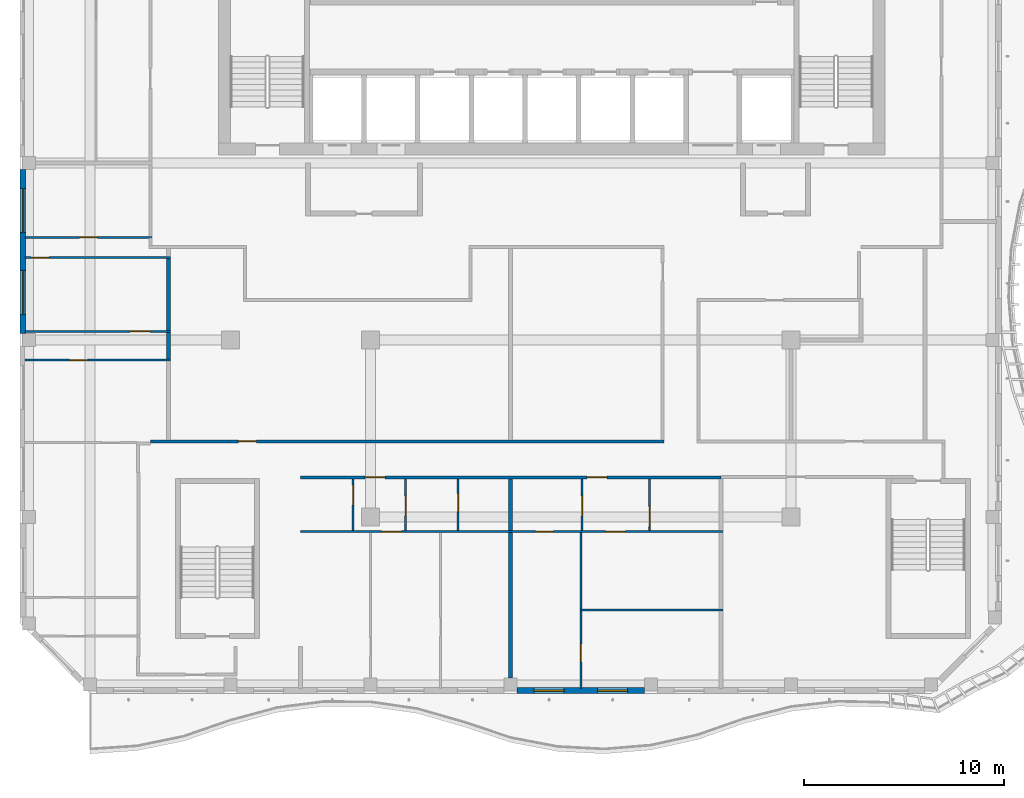
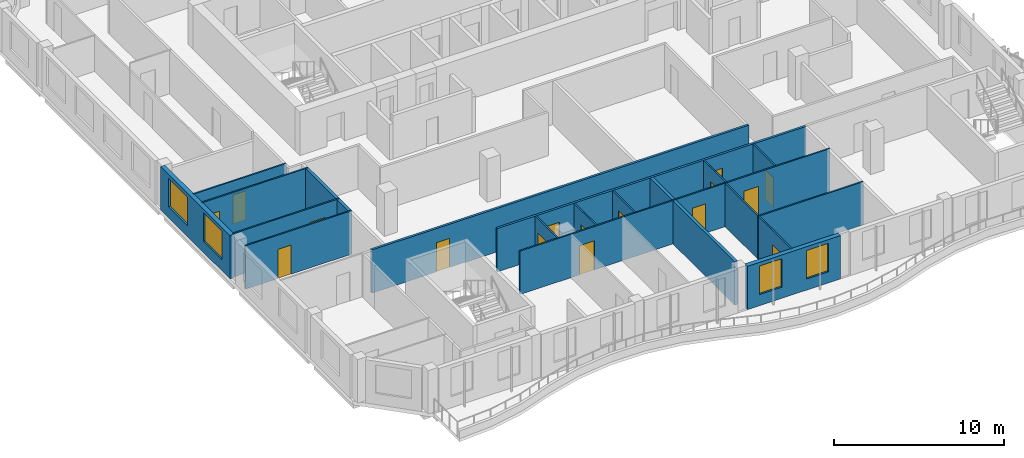
# One storey, part 3 of 18: 21 walls, 16 doors, 4 windows, 20 openings.
"""IFC4 building model written with IfcOpenShell, lengths in metres."""

from ifc_helpers import new_model, si_unit, direction, frame, frame_2d, origin, place, context, subcontext, project, spatial, rectangle, extrude, source, transform, mapped, material, layer, layer_set, type_object, element, fill, save


model = new_model("IFC4")

# Units and contexts
model_context = context("Model", 3, precision=1e-05, world=origin(), true_north=direction((0.0, 1.0)))
body_context = subcontext(model_context, "Body", "Model", "MODEL_VIEW")
ifc_project = project(units=[si_unit("LENGTHUNIT", "METRE"), si_unit("AREAUNIT", "SQUARE_METRE"), si_unit("VOLUMEUNIT", "CUBIC_METRE"), si_unit("PLANEANGLEUNIT", "RADIAN"), si_unit("MASSUNIT", "GRAM", prefix="KILO")], contexts=[model_context])

# Site, building, storey
site_placement = place(None, origin())
site = spatial("IfcSite", under=ifc_project, at=site_placement, CompositionType="ELEMENT")
building_placement = place(site_placement, origin())
building = spatial("IfcBuilding", under=site, at=building_placement, Name="Kilnfold Tower and Market Hall", CompositionType="ELEMENT")
storey_placement = place(building_placement, frame((0.0, 0.0, 277.199951171875)))
storey = spatial("IfcBuildingStorey", under=building, at=storey_placement, Name="L68", CompositionType="ELEMENT", Elevation=277.199951171875)

# Wall, opening, door
ifc_material_1 = material(Name="Gypsum board on steel studs", Category="steel")
ifc_layer_1 = layer(ifc_material_1, 0.14990234375)
ifc_layer_set_1 = layer_set([ifc_layer_1], Name="Gypsum board on steel studs")
wall_type_1 = type_object("IfcWallType", Name="WALL CORRIDOR 150", PredefinedType="PARTITIONING", material=ifc_layer_set_1)
wall_1_placement = place(storey_placement, frame((-19.0, -5.89990234375, 0.0), z_axis=(0.0, 0.0, 1.0), x_axis=(1.0, 0.0, 0.0)))
wall_1 = element("IfcWall", 1, at=wall_1_placement, inside=storey, type_object=wall_type_1, Name="Partition LY42.10", PredefinedType="PARTITIONING", context=body_context, shape_type="SweptSolid", body=[
    extrude(rectangle(XDim=25.655029296875, YDim=0.14990234375, at=frame_2d((12.82763671875, 0.0))), origin(), (0.0, 0.0, 1.0), 3.1201171875),
])
opening_1_placement = place(wall_1_placement, frame((4.39404296875, 0.0, 0.0)))
opening_1 = element("IfcOpeningElement", 2, at=opening_1_placement, cuts=wall_1, Name="Opening D2", PredefinedType="OPENING", context=body_context, shape_type="SweptSolid", body=[
    extrude(rectangle(XDim=0.89990234375, YDim=2.10009765625, at=frame_2d((0.449951171875, 1.050048828125))), frame((0.0, 0.0849609375, 0.0), z_axis=(0.0, -1.0, 0.0), x_axis=(1.0, 0.0, 0.0)), (0.0, 0.0, 1.0), 0.169921875),
])
ifc_material_2 = material(Name="Timber veneer door leaf in steel frame", Category="steel")
door_type_1 = type_object("IfcDoorType", Name="DOOR ROOM 900 X2100", OperationType="NOTDEFINED", PredefinedType="DOOR", material=ifc_material_2)
door_1_placement = place(opening_1_placement, origin())
door_1 = element("IfcDoor", 3, at=door_1_placement, inside=storey, type_object=door_type_1, Name="Door D2", OperationType="SINGLE_SWING_RIGHT", OverallHeight=2.10009765625, OverallWidth=0.89990234375, PredefinedType="DOOR", context=body_context, shape_type="SweptSolid", body=[
    extrude(rectangle(XDim=0.89990234375, YDim=2.10009765625, at=frame_2d((0.449951171875, 1.050048828125))), frame((0.0, 0.02490234375, 0.0), z_axis=(0.0, -1.0, 0.0), x_axis=(1.0, 0.0, 0.0)), (0.0, 0.0, 1.0), 0.050048828125),
])
fill(opening_1, door_1)

# Wall, openings, doors
wall_2_placement = place(storey_placement, frame((-11.510009765625, -7.699951171875, 0.0), z_axis=(0.0, 0.0, 1.0), x_axis=(1.0, 0.0, 0.0)))
wall_2 = element("IfcWall", 4, at=wall_2_placement, inside=storey, type_object=wall_type_1, Name="Partition LY42.14", PredefinedType="PARTITIONING", context=body_context, shape_type="SweptSolid", body=[
    extrude(rectangle(XDim=21.02001953125, YDim=0.14990234375, at=frame_2d((10.510009765625, 0.0))), origin(), (0.0, 0.0, 1.0), 3.1201171875),
])
opening_2_placement = place(wall_2_placement, frame((3.239990234375, 0.0, 0.0)))
opening_2 = element("IfcOpeningElement", 5, at=opening_2_placement, cuts=wall_2, Name="Opening D1", PredefinedType="OPENING", context=body_context, shape_type="SweptSolid", body=[
    extrude(rectangle(XDim=1.0, YDim=2.10009765625, at=frame_2d((0.5, 1.050048828125))), frame((0.0, 0.0849609375, 0.0), z_axis=(0.0, -1.0, 0.0), x_axis=(1.0, 0.0, 0.0)), (0.0, 0.0, 1.0), 0.169921875),
])
opening_3_placement = place(wall_2_placement, frame((14.321044921875, 0.0, 0.0)))
opening_3 = element("IfcOpeningElement", 6, at=opening_3_placement, cuts=wall_2, Name="Opening D1", PredefinedType="OPENING", context=body_context, shape_type="SweptSolid", body=[
    extrude(rectangle(XDim=1.0, YDim=2.10009765625, at=frame_2d((0.5, 1.050048828125))), frame((0.0, 0.0849609375, 0.0), z_axis=(0.0, -1.0, 0.0), x_axis=(1.0, 0.0, 0.0)), (0.0, 0.0, 1.0), 0.169921875),
])
ifc_material_3 = material(Name="Timber veneer door leaf in steel frame", Category="steel")
door_type_2 = type_object("IfcDoorType", Name="DOOR ENTRY 1000 X2100", OperationType="NOTDEFINED", PredefinedType="DOOR", material=ifc_material_3)
door_2_placement = place(opening_2_placement, origin())
door_2 = element("IfcDoor", 7, at=door_2_placement, inside=storey, type_object=door_type_2, Name="Door D1", OperationType="SINGLE_SWING_LEFT", OverallHeight=2.10009765625, OverallWidth=1.0, PredefinedType="DOOR", context=body_context, shape_type="SweptSolid", body=[
    extrude(rectangle(XDim=1.0, YDim=2.10009765625, at=frame_2d((0.5, 1.050048828125))), frame((0.0, 0.02490234375, 0.0), z_axis=(0.0, -1.0, 0.0), x_axis=(1.0, 0.0, 0.0)), (0.0, 0.0, 1.0), 0.050048828125),
])
fill(opening_2, door_2)
door_3_placement = place(opening_3_placement, origin())
door_3 = element("IfcDoor", 8, at=door_3_placement, inside=storey, type_object=door_type_2, Name="Door D1", OperationType="SINGLE_SWING_RIGHT", OverallHeight=2.10009765625, OverallWidth=1.0, PredefinedType="DOOR", context=body_context, shape_type="SweptSolid", body=[
    extrude(rectangle(XDim=1.0, YDim=2.10009765625, at=frame_2d((0.5, 1.050048828125))), frame((0.0, 0.02490234375, 0.0), z_axis=(0.0, -1.0, 0.0), x_axis=(1.0, 0.0, 0.0)), (0.0, 0.0, 1.0), 0.050048828125),
])
fill(opening_3, door_3)

# Wall, opening, door
ifc_material_4 = material(Name="Gypsum board on steel studs", Category="steel")
ifc_layer_2 = layer(ifc_material_4, 0.10009765625)
ifc_layer_set_2 = layer_set([ifc_layer_2], Name="Gypsum board on steel studs")
wall_type_2 = type_object("IfcWallType", Name="WALL PARTITION 100", PredefinedType="PARTITIONING", material=ifc_layer_set_2)
wall_3_placement = place(storey_placement, frame((-18.0, -1.842041015625, 0.0), z_axis=(0.0, 0.0, 1.0), x_axis=(-1.0, 0.0, 0.0)))
wall_3 = element("IfcWall", 9, at=wall_3_placement, inside=storey, type_object=wall_type_2, Name="Partition LY42.37", PredefinedType="PARTITIONING", context=body_context, shape_type="SweptSolid", body=[
    extrude(rectangle(XDim=7.25, YDim=0.10009765625, at=frame_2d((3.625, 0.0))), origin(), (0.0, 0.0, 1.0), 3.1201171875),
])
opening_4_placement = place(wall_3_placement, frame((4.133056640625, 0.0, 0.0)))
opening_4 = element("IfcOpeningElement", 10, at=opening_4_placement, cuts=wall_3, Name="Opening D2", PredefinedType="OPENING", context=body_context, shape_type="SweptSolid", body=[
    extrude(rectangle(XDim=0.89990234375, YDim=2.10009765625, at=frame_2d((0.449951171875, 1.050048828125))), frame((0.0, 0.06005859375, 0.0), z_axis=(0.0, -1.0, 0.0), x_axis=(1.0, 0.0, 0.0)), (0.0, 0.0, 1.0), 0.1201171875),
])
door_4_placement = place(opening_4_placement, origin())
door_4 = element("IfcDoor", 11, at=door_4_placement, inside=storey, type_object=door_type_1, Name="Door D2", OperationType="SINGLE_SWING_RIGHT", OverallHeight=2.10009765625, OverallWidth=0.89990234375, PredefinedType="DOOR", context=body_context, shape_type="SweptSolid", body=[
    extrude(rectangle(XDim=0.89990234375, YDim=2.10009765625, at=frame_2d((0.449951171875, 1.050048828125))), frame((0.0, 0.02490234375, 0.0), z_axis=(0.0, -1.0, 0.0), x_axis=(1.0, 0.0, 0.0)), (0.0, 0.0, 1.0), 0.050048828125),
])
fill(opening_4, door_4)

wall_4_placement = place(storey_placement, frame((-18.0, -0.39990234375, 0.0), z_axis=(0.0, 0.0, 1.0), x_axis=(-1.0, 0.0, 0.0)))
wall_4 = element("IfcWall", 12, at=wall_4_placement, inside=storey, type_object=wall_type_2, Name="Partition LY42.39", PredefinedType="PARTITIONING", context=body_context, shape_type="SweptSolid", body=[
    extrude(rectangle(XDim=7.25, YDim=0.10009765625, at=frame_2d((3.625, 0.0))), origin(), (0.0, 0.0, 1.0), 3.1201171875),
])
opening_5_placement = place(wall_4_placement, frame((1.007080078125, 0.0, 0.0)))
opening_5 = element("IfcOpeningElement", 13, at=opening_5_placement, cuts=wall_4, Name="Opening D1", PredefinedType="OPENING", context=body_context, shape_type="SweptSolid", body=[
    extrude(rectangle(XDim=1.0, YDim=2.10009765625, at=frame_2d((0.5, 1.050048828125))), frame((0.0, 0.06005859375, 0.0), z_axis=(0.0, -1.0, 0.0), x_axis=(1.0, 0.0, 0.0)), (0.0, 0.0, 1.0), 0.1201171875),
])
door_5_placement = place(opening_5_placement, origin())
door_5 = element("IfcDoor", 14, at=door_5_placement, inside=storey, type_object=door_type_2, Name="Door D1", OperationType="SINGLE_SWING_LEFT", OverallHeight=2.10009765625, OverallWidth=1.0, PredefinedType="DOOR", context=body_context, shape_type="SweptSolid", body=[
    extrude(rectangle(XDim=1.0, YDim=2.10009765625, at=frame_2d((0.5, 1.050048828125))), frame((0.0, 0.02490234375, 0.0), z_axis=(0.0, -1.0, 0.0), x_axis=(1.0, 0.0, 0.0)), (0.0, 0.0, 1.0), 0.050048828125),
])
fill(opening_5, door_5)

wall_5_placement = place(storey_placement, frame((-18.0, 3.27490234375, 0.0), z_axis=(0.0, 0.0, 1.0), x_axis=(-1.0, 0.0, 0.0)))
wall_5 = element("IfcWall", 15, at=wall_5_placement, inside=storey, type_object=wall_type_2, Name="Partition LY42.41", PredefinedType="PARTITIONING", context=body_context, shape_type="SweptSolid", body=[
    extrude(rectangle(XDim=7.25, YDim=0.10009765625, at=frame_2d((3.625, 0.0))), origin(), (0.0, 0.0, 1.0), 3.1201171875),
])
opening_6_placement = place(wall_5_placement, frame((6.049072265625, 0.0, 0.0)))
opening_6 = element("IfcOpeningElement", 16, at=opening_6_placement, cuts=wall_5, Name="Opening D2", PredefinedType="OPENING", context=body_context, shape_type="SweptSolid", body=[
    extrude(rectangle(XDim=0.89990234375, YDim=2.10009765625, at=frame_2d((0.449951171875, 1.050048828125))), frame((0.0, 0.06005859375, 0.0), z_axis=(0.0, -1.0, 0.0), x_axis=(1.0, 0.0, 0.0)), (0.0, 0.0, 1.0), 0.1201171875),
])
door_6_placement = place(opening_6_placement, origin())
door_6 = element("IfcDoor", 17, at=door_6_placement, inside=storey, type_object=door_type_1, Name="Door D2", OperationType="SINGLE_SWING_LEFT", OverallHeight=2.10009765625, OverallWidth=0.89990234375, PredefinedType="DOOR", context=body_context, shape_type="SweptSolid", body=[
    extrude(rectangle(XDim=0.89990234375, YDim=2.10009765625, at=frame_2d((0.449951171875, 1.050048828125))), frame((0.0, 0.02490234375, 0.0), z_axis=(0.0, -1.0, 0.0), x_axis=(1.0, 0.0, 0.0)), (0.0, 0.0, 1.0), 0.050048828125),
])
fill(opening_6, door_6)

wall_6_placement = place(storey_placement, frame((-18.927001953125, 4.2919921875, 0.0), z_axis=(0.0, 0.0, 1.0), x_axis=(-1.0, 0.0, 0.0)))
wall_6 = element("IfcWall", 18, at=wall_6_placement, inside=storey, type_object=wall_type_2, Name="Partition LY42.43", PredefinedType="PARTITIONING", context=body_context, shape_type="SweptSolid", body=[
    extrude(rectangle(XDim=6.322998046875, YDim=0.10009765625, at=frame_2d((3.16162109375, 0.0))), origin(), (0.0, 0.0, 1.0), 3.1201171875),
])
opening_7_placement = place(wall_6_placement, frame((2.7119140625, 0.0, 0.0)))
opening_7 = element("IfcOpeningElement", 19, at=opening_7_placement, cuts=wall_6, Name="Opening D2", PredefinedType="OPENING", context=body_context, shape_type="SweptSolid", body=[
    extrude(rectangle(XDim=0.89990234375, YDim=2.10009765625, at=frame_2d((0.449951171875, 1.050048828125))), frame((0.0, 0.06005859375, 0.0), z_axis=(0.0, -1.0, 0.0), x_axis=(1.0, 0.0, 0.0)), (0.0, 0.0, 1.0), 0.1201171875),
])
door_7_placement = place(opening_7_placement, origin())
door_7 = element("IfcDoor", 20, at=door_7_placement, inside=storey, type_object=door_type_1, Name="Door D2", OperationType="SINGLE_SWING_RIGHT", OverallHeight=2.10009765625, OverallWidth=0.89990234375, PredefinedType="DOOR", context=body_context, shape_type="SweptSolid", body=[
    extrude(rectangle(XDim=0.89990234375, YDim=2.10009765625, at=frame_2d((0.449951171875, 1.050048828125))), frame((0.0, 0.02490234375, 0.0), z_axis=(0.0, -1.0, 0.0), x_axis=(1.0, 0.0, 0.0)), (0.0, 0.0, 1.0), 0.050048828125),
])
fill(opening_7, door_7)

wall_7_placement = place(storey_placement, frame((-8.875, -10.35009765625, 0.0), z_axis=(0.0, 0.0, 1.0), x_axis=(0.0, 1.0, 0.0)))
wall_7 = element("IfcWall", 21, at=wall_7_placement, inside=storey, type_object=wall_type_2, Name="Partition LY42.46", PredefinedType="PARTITIONING", context=body_context, shape_type="SweptSolid", body=[
    extrude(rectangle(XDim=2.572998046875, YDim=0.10009765625, at=frame_2d((1.28662109375, 0.0))), origin(), (0.0, 0.0, 1.0), 3.1201171875),
])
opening_8_placement = place(wall_7_placement, frame((1.26611328125, 0.0, 0.0)))
opening_8 = element("IfcOpeningElement", 22, at=opening_8_placement, cuts=wall_7, Name="Opening D1", PredefinedType="OPENING", context=body_context, shape_type="SweptSolid", body=[
    extrude(rectangle(XDim=1.0, YDim=2.10009765625, at=frame_2d((0.5, 1.050048828125))), frame((0.0, 0.06005859375, 0.0), z_axis=(0.0, -1.0, 0.0), x_axis=(1.0, 0.0, 0.0)), (0.0, 0.0, 1.0), 0.1201171875),
])
door_8_placement = place(opening_8_placement, origin())
door_8 = element("IfcDoor", 23, at=door_8_placement, inside=storey, type_object=door_type_2, Name="Door D1", OperationType="SINGLE_SWING_RIGHT", OverallHeight=2.10009765625, OverallWidth=1.0, PredefinedType="DOOR", context=body_context, shape_type="SweptSolid", body=[
    extrude(rectangle(XDim=1.0, YDim=2.10009765625, at=frame_2d((0.5, 1.050048828125))), frame((0.0, 0.02490234375, 0.0), z_axis=(0.0, -1.0, 0.0), x_axis=(1.0, 0.0, 0.0)), (0.0, 0.0, 1.0), 0.050048828125),
])
fill(opening_8, door_8)

# Wall, openings, doors
wall_8_placement = place(storey_placement, frame((-11.5, -10.39990234375, 0.0), z_axis=(0.0, 0.0, 1.0), x_axis=(1.0, 0.0, 0.0)))
wall_8 = element("IfcWall", 24, at=wall_8_placement, inside=storey, type_object=wall_type_2, Name="Partition LY42.47", PredefinedType="PARTITIONING", context=body_context, shape_type="SweptSolid", body=[
    extrude(rectangle(XDim=21.10009765625, YDim=0.10009765625, at=frame_2d((10.550048828125, 0.0))), origin(), (0.0, 0.0, 1.0), 3.1201171875),
])
opening_9_placement = place(wall_8_placement, frame((4.050048828125, 0.0, 0.0)))
opening_9 = element("IfcOpeningElement", 25, at=opening_9_placement, cuts=wall_8, Name="Opening D1", PredefinedType="OPENING", context=body_context, shape_type="SweptSolid", body=[
    extrude(rectangle(XDim=1.0, YDim=2.10009765625, at=frame_2d((0.5, 1.050048828125))), frame((0.0, 0.06005859375, 0.0), z_axis=(0.0, -1.0, 0.0), x_axis=(1.0, 0.0, 0.0)), (0.0, 0.0, 1.0), 0.1201171875),
])
opening_10_placement = place(wall_8_placement, frame((11.72705078125, 0.0, 0.0)))
opening_10 = element("IfcOpeningElement", 26, at=opening_10_placement, cuts=wall_8, Name="Opening D2", PredefinedType="OPENING", context=body_context, shape_type="SweptSolid", body=[
    extrude(rectangle(XDim=0.89990234375, YDim=2.10009765625, at=frame_2d((0.449951171875, 1.050048828125))), frame((0.0, 0.06005859375, 0.0), z_axis=(0.0, -1.0, 0.0), x_axis=(1.0, 0.0, 0.0)), (0.0, 0.0, 1.0), 0.1201171875),
])
opening_11_placement = place(wall_8_placement, frame((15.22509765625, 0.0, 0.0)))
opening_11 = element("IfcOpeningElement", 27, at=opening_11_placement, cuts=wall_8, Name="Opening D1", PredefinedType="OPENING", context=body_context, shape_type="SweptSolid", body=[
    extrude(rectangle(XDim=1.0, YDim=2.10009765625, at=frame_2d((0.5, 1.050048828125))), frame((0.0, 0.06005859375, 0.0), z_axis=(0.0, -1.0, 0.0), x_axis=(1.0, 0.0, 0.0)), (0.0, 0.0, 1.0), 0.1201171875),
])
door_9_placement = place(opening_9_placement, origin())
door_9 = element("IfcDoor", 28, at=door_9_placement, inside=storey, type_object=door_type_2, Name="Door D1", OperationType="SINGLE_SWING_RIGHT", OverallHeight=2.10009765625, OverallWidth=1.0, PredefinedType="DOOR", context=body_context, shape_type="SweptSolid", body=[
    extrude(rectangle(XDim=1.0, YDim=2.10009765625, at=frame_2d((0.5, 1.050048828125))), frame((0.0, 0.02490234375, 0.0), z_axis=(0.0, -1.0, 0.0), x_axis=(1.0, 0.0, 0.0)), (0.0, 0.0, 1.0), 0.050048828125),
])
fill(opening_9, door_9)
door_10_placement = place(opening_11_placement, origin())
door_10 = element("IfcDoor", 29, at=door_10_placement, inside=storey, type_object=door_type_2, Name="Door D1", OperationType="SINGLE_SWING_LEFT", OverallHeight=2.10009765625, OverallWidth=1.0, PredefinedType="DOOR", context=body_context, shape_type="SweptSolid", body=[
    extrude(rectangle(XDim=1.0, YDim=2.10009765625, at=frame_2d((0.5, 1.050048828125))), frame((0.0, 0.02490234375, 0.0), z_axis=(0.0, -1.0, 0.0), x_axis=(1.0, 0.0, 0.0)), (0.0, 0.0, 1.0), 0.050048828125),
])
fill(opening_11, door_10)
door_11_placement = place(opening_10_placement, origin())
door_11 = element("IfcDoor", 30, at=door_11_placement, inside=storey, type_object=door_type_1, Name="Door D2", OperationType="SINGLE_SWING_LEFT", OverallHeight=2.10009765625, OverallWidth=0.89990234375, PredefinedType="DOOR", context=body_context, shape_type="SweptSolid", body=[
    extrude(rectangle(XDim=0.89990234375, YDim=2.10009765625, at=frame_2d((0.449951171875, 1.050048828125))), frame((0.0, 0.02490234375, 0.0), z_axis=(0.0, -1.0, 0.0), x_axis=(1.0, 0.0, 0.0)), (0.0, 0.0, 1.0), 0.050048828125),
])
fill(opening_10, door_11)

# Wall, opening, door
wall_9_placement = place(storey_placement, frame((-6.25, -10.35009765625, 0.0), z_axis=(0.0, 0.0, 1.0), x_axis=(0.0, 1.0, 0.0)))
wall_9 = element("IfcWall", 31, at=wall_9_placement, inside=storey, type_object=wall_type_2, Name="Partition LY42.48", PredefinedType="PARTITIONING", context=body_context, shape_type="SweptSolid", body=[
    extrude(rectangle(XDim=2.572998046875, YDim=0.10009765625, at=frame_2d((1.28662109375, 0.0))), origin(), (0.0, 0.0, 1.0), 3.1201171875),
])
opening_12_placement = place(wall_9_placement, frame((0.73291015625, 0.0, 0.0)))
opening_12 = element("IfcOpeningElement", 32, at=opening_12_placement, cuts=wall_9, Name="Opening D1", PredefinedType="OPENING", context=body_context, shape_type="SweptSolid", body=[
    extrude(rectangle(XDim=1.0, YDim=2.10009765625, at=frame_2d((0.5, 1.050048828125))), frame((0.0, 0.06005859375, 0.0), z_axis=(0.0, -1.0, 0.0), x_axis=(1.0, 0.0, 0.0)), (0.0, 0.0, 1.0), 0.1201171875),
])
door_12_placement = place(opening_12_placement, origin())
door_12 = element("IfcDoor", 33, at=door_12_placement, inside=storey, type_object=door_type_2, Name="Door D1", OperationType="SINGLE_SWING_RIGHT", OverallHeight=2.10009765625, OverallWidth=1.0, PredefinedType="DOOR", context=body_context, shape_type="SweptSolid", body=[
    extrude(rectangle(XDim=1.0, YDim=2.10009765625, at=frame_2d((0.5, 1.050048828125))), frame((0.0, 0.02490234375, 0.0), z_axis=(0.0, -1.0, 0.0), x_axis=(1.0, 0.0, 0.0)), (0.0, 0.0, 1.0), 0.050048828125),
])
fill(opening_12, door_12)

wall_10_placement = place(storey_placement, frame((-3.625, -10.35009765625, 0.0), z_axis=(0.0, 0.0, 1.0), x_axis=(0.0, 1.0, 0.0)))
wall_10 = element("IfcWall", 34, at=wall_10_placement, inside=storey, type_object=wall_type_2, Name="Partition LY42.49", PredefinedType="PARTITIONING", context=body_context, shape_type="SweptSolid", body=[
    extrude(rectangle(XDim=2.572998046875, YDim=0.10009765625, at=frame_2d((1.28662109375, 0.0))), origin(), (0.0, 0.0, 1.0), 3.1201171875),
])
opening_13_placement = place(wall_10_placement, frame((0.943115234375, 0.0, 0.0)))
opening_13 = element("IfcOpeningElement", 35, at=opening_13_placement, cuts=wall_10, Name="Opening D2", PredefinedType="OPENING", context=body_context, shape_type="SweptSolid", body=[
    extrude(rectangle(XDim=0.89990234375, YDim=2.10009765625, at=frame_2d((0.449951171875, 1.050048828125))), frame((0.0, 0.06005859375, 0.0), z_axis=(0.0, -1.0, 0.0), x_axis=(1.0, 0.0, 0.0)), (0.0, 0.0, 1.0), 0.1201171875),
])
door_13_placement = place(opening_13_placement, origin())
door_13 = element("IfcDoor", 36, at=door_13_placement, inside=storey, type_object=door_type_1, Name="Door D2", OperationType="SINGLE_SWING_RIGHT", OverallHeight=2.10009765625, OverallWidth=0.89990234375, PredefinedType="DOOR", context=body_context, shape_type="SweptSolid", body=[
    extrude(rectangle(XDim=0.89990234375, YDim=2.10009765625, at=frame_2d((0.449951171875, 1.050048828125))), frame((0.0, 0.02490234375, 0.0), z_axis=(0.0, -1.0, 0.0), x_axis=(1.0, 0.0, 0.0)), (0.0, 0.0, 1.0), 0.050048828125),
])
fill(opening_13, door_13)

wall_11_placement = place(storey_placement, frame((2.570068359375, -10.35009765625, 0.0), z_axis=(0.0, 0.0, 1.0), x_axis=(0.0, 1.0, 0.0)))
wall_11 = element("IfcWall", 37, at=wall_11_placement, inside=storey, type_object=wall_type_2, Name="Partition LY42.54", PredefinedType="PARTITIONING", context=body_context, shape_type="SweptSolid", body=[
    extrude(rectangle(XDim=2.572998046875, YDim=0.10009765625, at=frame_2d((1.28662109375, 0.0))), origin(), (0.0, 0.0, 1.0), 3.1201171875),
])
opening_14_placement = place(wall_11_placement, frame((0.73291015625, 0.0, 0.0)))
opening_14 = element("IfcOpeningElement", 38, at=opening_14_placement, cuts=wall_11, Name="Opening D1", PredefinedType="OPENING", context=body_context, shape_type="SweptSolid", body=[
    extrude(rectangle(XDim=1.0, YDim=2.10009765625, at=frame_2d((0.5, 1.050048828125))), frame((0.0, 0.06005859375, 0.0), z_axis=(0.0, -1.0, 0.0), x_axis=(1.0, 0.0, 0.0)), (0.0, 0.0, 1.0), 0.1201171875),
])
door_14_placement = place(opening_14_placement, origin())
door_14 = element("IfcDoor", 39, at=door_14_placement, inside=storey, type_object=door_type_2, Name="Door D1", OperationType="SINGLE_SWING_LEFT", OverallHeight=2.10009765625, OverallWidth=1.0, PredefinedType="DOOR", context=body_context, shape_type="SweptSolid", body=[
    extrude(rectangle(XDim=1.0, YDim=2.10009765625, at=frame_2d((0.5, 1.050048828125))), frame((0.0, 0.02490234375, 0.0), z_axis=(0.0, -1.0, 0.0), x_axis=(1.0, 0.0, 0.0)), (0.0, 0.0, 1.0), 0.050048828125),
])
fill(opening_14, door_14)

wall_12_placement = place(storey_placement, frame((5.929931640625, -10.35009765625, 0.0), z_axis=(0.0, 0.0, 1.0), x_axis=(0.0, 1.0, 0.0)))
wall_12 = element("IfcWall", 40, at=wall_12_placement, inside=storey, type_object=wall_type_2, Name="Partition LY42.55", PredefinedType="PARTITIONING", context=body_context, shape_type="SweptSolid", body=[
    extrude(rectangle(XDim=2.572998046875, YDim=0.10009765625, at=frame_2d((1.28662109375, 0.0))), origin(), (0.0, 0.0, 1.0), 3.1201171875),
])
opening_15_placement = place(wall_12_placement, frame((0.199951171875, 0.0, 0.0)))
opening_15 = element("IfcOpeningElement", 41, at=opening_15_placement, cuts=wall_12, Name="Opening D1", PredefinedType="OPENING", context=body_context, shape_type="SweptSolid", body=[
    extrude(rectangle(XDim=1.0, YDim=2.10009765625, at=frame_2d((0.5, 1.050048828125))), frame((0.0, 0.06005859375, 0.0), z_axis=(0.0, -1.0, 0.0), x_axis=(1.0, 0.0, 0.0)), (0.0, 0.0, 1.0), 0.1201171875),
])
door_15_placement = place(opening_15_placement, origin())
door_15 = element("IfcDoor", 42, at=door_15_placement, inside=storey, type_object=door_type_2, Name="Door D1", OperationType="SINGLE_SWING_LEFT", OverallHeight=2.10009765625, OverallWidth=1.0, PredefinedType="DOOR", context=body_context, shape_type="SweptSolid", body=[
    extrude(rectangle(XDim=1.0, YDim=2.10009765625, at=frame_2d((0.5, 1.050048828125))), frame((0.0, 0.02490234375, 0.0), z_axis=(0.0, -1.0, 0.0), x_axis=(1.0, 0.0, 0.0)), (0.0, 0.0, 1.0), 0.050048828125),
])
fill(opening_15, door_15)

wall_13_placement = place(storey_placement, frame((2.5, -18.25, 0.0), z_axis=(0.0, 0.0, 1.0), x_axis=(0.0, 1.0, 0.0)))
wall_13 = element("IfcWall", 43, at=wall_13_placement, inside=storey, type_object=wall_type_2, Name="Partition LY42.57", PredefinedType="PARTITIONING", context=body_context, shape_type="SweptSolid", body=[
    extrude(rectangle(XDim=3.884033203125, YDim=0.10009765625, at=frame_2d((1.94189453125, 0.0))), origin(), (0.0, 0.0, 1.0), 3.1201171875),
])
opening_16_placement = place(wall_13_placement, frame((1.3369140625, 0.0, 0.0)))
opening_16 = element("IfcOpeningElement", 44, at=opening_16_placement, cuts=wall_13, Name="Opening D2", PredefinedType="OPENING", context=body_context, shape_type="SweptSolid", body=[
    extrude(rectangle(XDim=0.89990234375, YDim=2.10009765625, at=frame_2d((0.449951171875, 1.050048828125))), frame((0.0, 0.06005859375, 0.0), z_axis=(0.0, -1.0, 0.0), x_axis=(1.0, 0.0, 0.0)), (0.0, 0.0, 1.0), 0.1201171875),
])
door_16_placement = place(opening_16_placement, origin())
door_16 = element("IfcDoor", 45, at=door_16_placement, inside=storey, type_object=door_type_1, Name="Door D2", OperationType="SINGLE_SWING_RIGHT", OverallHeight=2.10009765625, OverallWidth=0.89990234375, PredefinedType="DOOR", context=body_context, shape_type="SweptSolid", body=[
    extrude(rectangle(XDim=0.89990234375, YDim=2.10009765625, at=frame_2d((0.449951171875, 1.050048828125))), frame((0.0, 0.02490234375, 0.0), z_axis=(0.0, -1.0, 0.0), x_axis=(1.0, 0.0, 0.0)), (0.0, 0.0, 1.0), 0.050048828125),
])
fill(opening_16, door_16)

# Walls
wall_14_placement = place(storey_placement, frame((2.5, -14.285888671875, 0.0), z_axis=(0.0, 0.0, 1.0), x_axis=(0.0, 1.0, 0.0)))
element("IfcWall", 46, at=wall_14_placement, inside=storey, type_object=wall_type_2, Name="Partition LY42.58", PredefinedType="PARTITIONING", context=body_context, shape_type="SweptSolid", body=[
    extrude(rectangle(XDim=3.833984375, YDim=0.10009765625, at=frame_2d((1.9169921875, 0.0))), origin(), (0.0, 0.0, 1.0), 3.1201171875),
])
wall_15_placement = place(storey_placement, frame((9.60009765625, -14.325927734375, 0.0), z_axis=(0.0, 0.0, 1.0), x_axis=(-1.0, 0.0, 0.0)))
element("IfcWall", 47, at=wall_15_placement, inside=storey, type_object=wall_type_2, Name="Partition LY42.59", PredefinedType="PARTITIONING", context=body_context, shape_type="SweptSolid", body=[
    extrude(rectangle(XDim=7.150146484375, YDim=0.10009765625, at=frame_2d((3.5751953125, 0.0))), origin(), (0.0, 0.0, 1.0), 3.1201171875),
])
ifc_material_5 = material(Name="Gypsum board on steel studs", Category="steel")
ifc_layer_3 = layer(ifc_material_5, 0.199951171875)
ifc_layer_set_3 = layer_set([ifc_layer_3], Name="Gypsum board on steel studs")
wall_type_3 = type_object("IfcWallType", Name="WALL PARTY 200", PredefinedType="PARTITIONING", material=ifc_layer_set_3)
wall_16_placement = place(storey_placement, frame((-18.10009765625, -1.7919921875, 0.0), z_axis=(0.0, 0.0, 1.0), x_axis=(0.0, 1.0, 0.0)))
element("IfcWall", 48, at=wall_16_placement, inside=storey, type_object=wall_type_3, Name="Partition LY42.40", PredefinedType="PARTITIONING", context=body_context, shape_type="SweptSolid", body=[
    extrude(rectangle(XDim=1.342041015625, YDim=0.199951171875, at=frame_2d((0.6708984375, 0.0))), origin(), (0.0, 0.0, 1.0), 3.1201171875),
])
wall_17_placement = place(storey_placement, frame((-18.10009765625, -0.35009765625, 0.0), z_axis=(0.0, 0.0, 1.0), x_axis=(0.0, 1.0, 0.0)))
element("IfcWall", 49, at=wall_17_placement, inside=storey, type_object=wall_type_3, Name="Partition LY42.42", PredefinedType="PARTITIONING", context=body_context, shape_type="SweptSolid", body=[
    extrude(rectangle(XDim=3.5751953125, YDim=0.199951171875, at=frame_2d((1.78759765625, 0.0))), origin(), (0.0, 0.0, 1.0), 3.1201171875),
])
wall_18_placement = place(storey_placement, frame((-1.0, -10.35009765625, 0.0), z_axis=(0.0, 0.0, 1.0), x_axis=(0.0, 1.0, 0.0)))
element("IfcWall", 50, at=wall_18_placement, inside=storey, type_object=wall_type_3, Name="Partition LY42.50", PredefinedType="PARTITIONING", context=body_context, shape_type="SweptSolid", body=[
    extrude(rectangle(XDim=2.572998046875, YDim=0.199951171875, at=frame_2d((1.28662109375, 0.0))), origin(), (0.0, 0.0, 1.0), 3.1201171875),
])
wall_19_placement = place(storey_placement, frame((-1.0, -17.72509765625, 0.0), z_axis=(0.0, 0.0, 1.0), x_axis=(0.0, 1.0, 0.0)))
element("IfcWall", 51, at=wall_19_placement, inside=storey, type_object=wall_type_3, Name="Partition LY42.53", PredefinedType="PARTITIONING", context=body_context, shape_type="SweptSolid", body=[
    extrude(rectangle(XDim=7.273193359375, YDim=0.199951171875, at=frame_2d((3.63671875, 0.0))), origin(), (0.0, 0.0, 1.0), 3.1201171875),
])

# Wall, openings, windows
ifc_material_6 = material(Name="Precast concrete C50/60", Category="concrete")
ifc_layer_4 = layer(ifc_material_6, 0.300048828125)
ifc_layer_set_4 = layer_set([ifc_layer_4], Name="Precast concrete C50/60")
wall_type_4 = type_object("IfcWallType", Name="PRECAST WALL 300", PredefinedType="SOLIDWALL", material=ifc_layer_set_4)
shared_shape_1 = source(origin(), body_context, "Body", "SweptSolid", [
    extrude(rectangle(XDim=6.35009765625, YDim=0.300048828125, at=frame_2d((3.175048828125, 0.0))), origin(), (0.0, 0.0, 1.0), 3.1201171875),
])
wall_20_placement = place(storey_placement, frame((-0.675048828125, -18.35009765625, 0.0), z_axis=(0.0, 0.0, 1.0), x_axis=(1.0, 0.0, 0.0)))
wall_20 = element("IfcWall", 52, at=wall_20_placement, inside=storey, type_object=wall_type_4, Name="External wall L68 S", PredefinedType="SOLIDWALL", context=body_context, shape_type="MappedRepresentation", body=[
    mapped(shared_shape_1, transform((0.0, 0.0, 0.0))),
])
opening_17_placement = place(wall_20_placement, frame((0.83740234375, 0.0, 0.800048828125)))
opening_17 = element("IfcOpeningElement", 53, at=opening_17_placement, cuts=wall_20, Name="Opening W5", PredefinedType="OPENING", context=body_context, shape_type="SweptSolid", body=[
    extrude(rectangle(XDim=1.5, YDim=2.050048828125, at=frame_2d((0.75, 1.02490234375))), frame((0.0, 0.16015625, 0.0), z_axis=(0.0, -1.0, 0.0), x_axis=(1.0, 0.0, 0.0)), (0.0, 0.0, 1.0), 0.320068359375),
])
opening_18_placement = place(wall_20_placement, frame((4.012451171875, 0.0, 0.800048828125)))
opening_18 = element("IfcOpeningElement", 54, at=opening_18_placement, cuts=wall_20, Name="Opening W5", PredefinedType="OPENING", context=body_context, shape_type="SweptSolid", body=[
    extrude(rectangle(XDim=1.5, YDim=2.050048828125, at=frame_2d((0.75, 1.02490234375))), frame((0.0, 0.16015625, 0.0), z_axis=(0.0, -1.0, 0.0), x_axis=(1.0, 0.0, 0.0)), (0.0, 0.0, 1.0), 0.320068359375),
])
ifc_material_7 = material(Name="Aluminium frame and double glazing", Category="aluminium")
window_type_1 = type_object("IfcWindowType", Name="WINDOW W5 1500X2050", PartitioningType="SINGLE_PANEL", PredefinedType="WINDOW", material=ifc_material_7)
window_1_placement = place(opening_17_placement, origin())
window_1 = element("IfcWindow", 55, at=window_1_placement, inside=storey, type_object=window_type_1, Name="Window W5 L68 S-1", OverallHeight=2.050048828125, OverallWidth=1.5, PartitioningType="SINGLE_PANEL", PredefinedType="WINDOW", context=body_context, shape_type="SweptSolid", body=[
    extrude(rectangle(XDim=1.5, YDim=2.050048828125, at=frame_2d((0.75, 1.02490234375))), frame((0.0, 0.030029296875, 0.0), z_axis=(0.0, -1.0, 0.0), x_axis=(1.0, 0.0, 0.0)), (0.0, 0.0, 1.0), 0.06005859375),
])
fill(opening_17, window_1)
window_2_placement = place(opening_18_placement, origin())
window_2 = element("IfcWindow", 56, at=window_2_placement, inside=storey, type_object=window_type_1, Name="Window W5 L68 S-2", OverallHeight=2.050048828125, OverallWidth=1.5, PartitioningType="SINGLE_PANEL", PredefinedType="WINDOW", context=body_context, shape_type="SweptSolid", body=[
    extrude(rectangle(XDim=1.5, YDim=2.050048828125, at=frame_2d((0.75, 1.02490234375))), frame((0.0, 0.030029296875, 0.0), z_axis=(0.0, -1.0, 0.0), x_axis=(1.0, 0.0, 0.0)), (0.0, 0.0, 1.0), 0.06005859375),
])
fill(opening_18, window_2)

shared_shape_2 = source(origin(), body_context, "Body", "SweptSolid", [
    extrude(rectangle(XDim=8.183349609375, YDim=0.300048828125, at=frame_2d((4.091796875, 0.0))), origin(), (0.0, 0.0, 1.0), 3.1201171875),
])
wall_21_placement = place(storey_placement, frame((-25.35009765625, 7.675048828125, 0.0), z_axis=(0.0, 0.0, 1.0), x_axis=(0.0, -1.0, 0.0)))
wall_21 = element("IfcWall", 57, at=wall_21_placement, inside=storey, type_object=wall_type_4, Name="External wall L68 W", PredefinedType="SOLIDWALL", context=body_context, shape_type="MappedRepresentation", body=[
    mapped(shared_shape_2, transform((0.0, 0.0, 0.0))),
])
opening_19_placement = place(wall_21_placement, frame((0.94580078125, 0.0, 0.800048828125)))
opening_19 = element("IfcOpeningElement", 58, at=opening_19_placement, cuts=wall_21, Name="Opening W3", PredefinedType="OPENING", context=body_context, shape_type="SweptSolid", body=[
    extrude(rectangle(XDim=2.199951171875, YDim=2.050048828125, at=frame_2d((1.10009765625, 1.02490234375))), frame((0.0, 0.16015625, 0.0), z_axis=(0.0, -1.0, 0.0), x_axis=(1.0, 0.0, 0.0)), (0.0, 0.0, 1.0), 0.320068359375),
])
opening_20_placement = place(wall_21_placement, frame((5.037353515625, 0.0, 0.800048828125)))
opening_20 = element("IfcOpeningElement", 59, at=opening_20_placement, cuts=wall_21, Name="Opening W3", PredefinedType="OPENING", context=body_context, shape_type="SweptSolid", body=[
    extrude(rectangle(XDim=2.199951171875, YDim=2.050048828125, at=frame_2d((1.10009765625, 1.02490234375))), frame((0.0, 0.16015625, 0.0), z_axis=(0.0, -1.0, 0.0), x_axis=(1.0, 0.0, 0.0)), (0.0, 0.0, 1.0), 0.320068359375),
])
ifc_material_8 = material(Name="Aluminium frame and double glazing", Category="aluminium")
window_type_2 = type_object("IfcWindowType", Name="WINDOW W3 2200X2050", PartitioningType="SINGLE_PANEL", PredefinedType="WINDOW", material=ifc_material_8)
window_3_placement = place(opening_19_placement, origin())
window_3 = element("IfcWindow", 60, at=window_3_placement, inside=storey, type_object=window_type_2, Name="Window W3 L68 W-1", OverallHeight=2.050048828125, OverallWidth=2.199951171875, PartitioningType="SINGLE_PANEL", PredefinedType="WINDOW", context=body_context, shape_type="SweptSolid", body=[
    extrude(rectangle(XDim=2.199951171875, YDim=2.050048828125, at=frame_2d((1.10009765625, 1.02490234375))), frame((0.0, 0.030029296875, 0.0), z_axis=(0.0, -1.0, 0.0), x_axis=(1.0, 0.0, 0.0)), (0.0, 0.0, 1.0), 0.06005859375),
])
fill(opening_19, window_3)
window_4_placement = place(opening_20_placement, origin())
window_4 = element("IfcWindow", 61, at=window_4_placement, inside=storey, type_object=window_type_2, Name="Window W3 L68 W-2", OverallHeight=2.050048828125, OverallWidth=2.199951171875, PartitioningType="SINGLE_PANEL", PredefinedType="WINDOW", context=body_context, shape_type="SweptSolid", body=[
    extrude(rectangle(XDim=2.199951171875, YDim=2.050048828125, at=frame_2d((1.10009765625, 1.02490234375))), frame((0.0, 0.030029296875, 0.0), z_axis=(0.0, -1.0, 0.0), x_axis=(1.0, 0.0, 0.0)), (0.0, 0.0, 1.0), 0.06005859375),
])
fill(opening_20, window_4)

save(model, "model.ifc")
